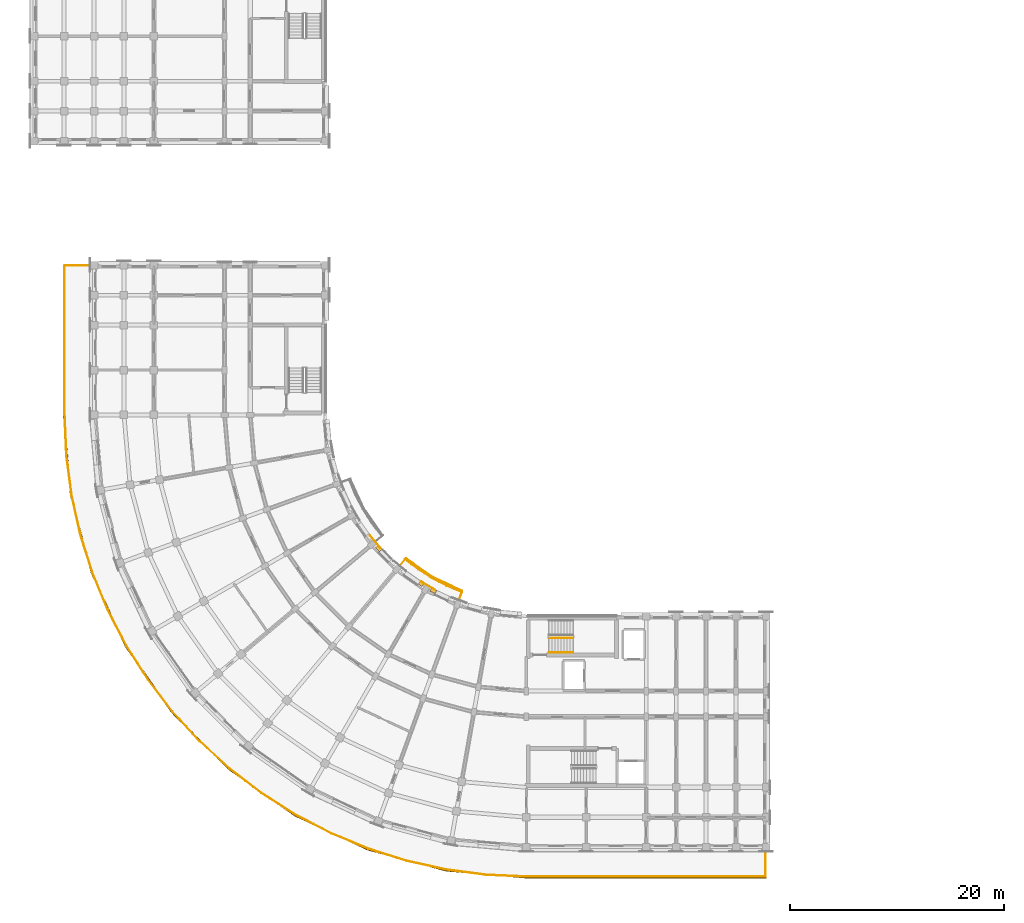
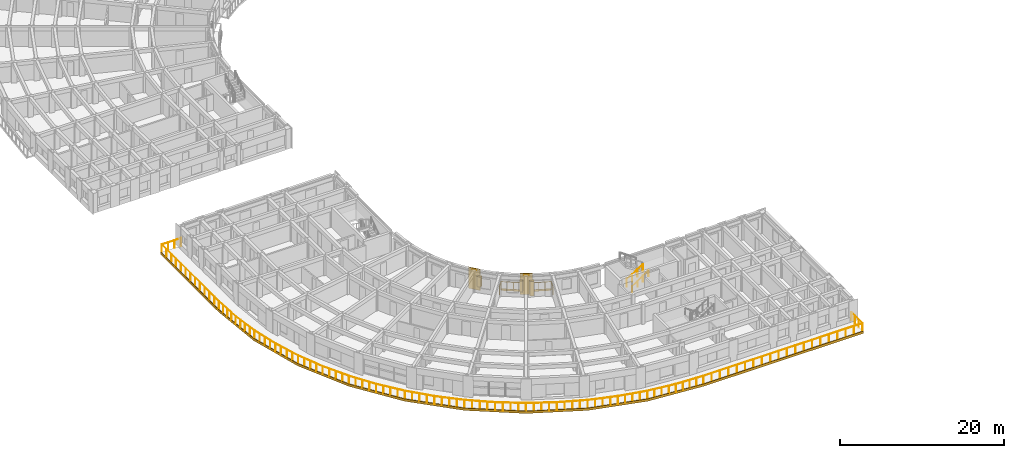
# One storey, part 42 of 57: 7 coverings, 4 railings.
"""IFC4 building model written with IfcOpenShell, lengths in metres."""

from ifc_helpers import new_model, si_unit, direction, frame, origin, origin_2d, place, context, subcontext, project, spatial, polyline, circle, outline, extrude, material, layer, layer_set, type_object, element, save


model = new_model("IFC4")

# Units and contexts
model_context = context("Model", 3, precision=1e-05, world=origin(), true_north=direction((0.0, 1.0)))
body_context = subcontext(model_context, "Body", "Model", "MODEL_VIEW")
ifc_project = project(units=[si_unit("LENGTHUNIT", "METRE"), si_unit("AREAUNIT", "SQUARE_METRE"), si_unit("VOLUMEUNIT", "CUBIC_METRE"), si_unit("PLANEANGLEUNIT", "RADIAN"), si_unit("MASSUNIT", "GRAM", prefix="KILO")], contexts=[model_context])

# Site, building, storey
site_placement = place(None, origin())
site = spatial("IfcSite", under=ifc_project, at=site_placement, CompositionType="ELEMENT")
building_placement = place(site_placement, origin())
building = spatial("IfcBuilding", under=site, at=building_placement, Name="Kiranvali Square Residences", CompositionType="ELEMENT")
storey_placement = place(building_placement, frame((0.0, 0.0, 24.449951171875)))
storey = spatial("IfcBuildingStorey", under=building, at=storey_placement, Name="L07", CompositionType="ELEMENT", Elevation=24.449951171875)

# Coverings
ifc_material_1 = material(Name="Carved Porbandar limestone classical entablature and cornice", Category="masonry")
ifc_layer_1 = layer(ifc_material_1, 0.449951171875)
ifc_layer_set_1 = layer_set([ifc_layer_1], Name="Carved Porbandar limestone classical entablature and cornice")
covering_type_1 = type_object("IfcCoveringType", Name="COV-CLAD-CORN", PredefinedType="CLADDING", material=ifc_layer_set_1)
covering_1_placement = place(storey_placement, frame((0.0, 0.0, -0.280029296875)))
element("IfcCovering", 1, at=covering_1_placement, inside=storey, type_object=covering_type_1, Name="Block C L07 stepped curved terrace stone cornice band", PredefinedType="CLADDING", context=body_context, shape_type="SweptSolid", body=[
    extrude(outline(polyline([(70.60009765625, 4.998046875), (48.199951171875, 4.998046875), (40.697998046875, 5.654296875), (33.424072265625, 7.603515625), (26.59912109375, 10.785888671875), (20.43017578125, 15.10546875), (15.10546875, 20.43017578125), (10.785888671875, 26.59912109375), (7.603515625, 33.424072265625), (5.654296875, 40.697998046875), (4.998046875, 48.199951171875), (4.998046875, 62.199951171875), (4.9150390625, 62.199951171875), (4.9150390625, 48.199951171875), (5.572509765625, 40.68359375), (7.525390625, 33.395751953125), (10.714111328125, 26.5576171875), (15.041748046875, 20.376953125), (20.376953125, 15.041748046875), (26.5576171875, 10.714111328125), (33.395751953125, 7.525390625), (40.68359375, 5.572509765625), (48.199951171875, 4.9150390625), (70.60009765625, 4.9150390625), (70.60009765625, 4.998046875)])), origin(), (0.0, 0.0, 1.0), 0.360107421875),
])
ifc_layer_2 = layer(ifc_material_1, 0.06201171875)
ifc_layer_set_2 = layer_set([ifc_layer_2], Name="Carved Porbandar limestone classical entablature and cornice")
covering_type_2 = type_object("IfcCoveringType", Name="COV-CLAD-GBAL", PredefinedType="CLADDING", material=ifc_layer_set_2)
covering_2_placement = place(storey_placement, frame((0.0, 0.0, -0.219970703125)))
element("IfcCovering", 2, at=covering_2_placement, inside=storey, type_object=covering_type_2, Name="Block C L07 garden balcony limestone fascia 1", PredefinedType="CLADDING", context=body_context, shape_type="SweptSolid", body=[
    extrude(outline(polyline([(42.221435546875, 31.774169921875), (39.4599609375, 33.061767578125), (36.964111328125, 34.8095703125), (36.92041015625, 34.757568359375), (39.426025390625, 33.0029296875), (42.1982421875, 31.710205078125), (42.221435546875, 31.774169921875)])), origin(), (0.0, 0.0, 1.0), 0.27001953125),
])
ifc_material_2 = material(Name="Honed Porbandar limestone ashlar facade cladding", Category="masonry")
ifc_layer_3 = layer(ifc_material_2, 0.3798828125)
ifc_layer_set_3 = layer_set([ifc_layer_3], Name="Honed Porbandar limestone ashlar facade cladding")
covering_type_3 = type_object("IfcCoveringType", Name="COV-CLAD-JAMB", PredefinedType="CLADDING", material=ifc_layer_set_3)
covering_3_placement = place(storey_placement, origin())
element("IfcCovering", 3, at=covering_3_placement, inside=storey, type_object=covering_type_3, Name="L07 deep limestone window jamb reveal C-L07-GDN-02.R", PredefinedType="CLADDING", context=body_context, shape_type="SweptSolid", body=[
    extrude(outline(polyline([(39.839599609375, 31.80908203125), (39.342529296875, 32.041015625), (39.198974609375, 31.733154296875), (39.696044921875, 31.50146484375), (39.839599609375, 31.80908203125)])), origin(), (0.0, 0.0, 1.0), 2.179931640625),
])
covering_4_placement = place(storey_placement, frame((0.0, 0.0, 0.572021484375)))
element("IfcCovering", 4, at=covering_4_placement, inside=storey, type_object=covering_type_3, Name="L07 deep limestone window jamb reveal C-L07-GDN-03.L", PredefinedType="CLADDING", context=body_context, shape_type="SweptSolid", body=[
    extrude(outline(polyline([(38.634521484375, 32.44970703125), (38.30810546875, 32.67822265625), (38.11328125, 32.400146484375), (38.43994140625, 32.171630859375), (38.634521484375, 32.44970703125)])), origin(), (0.0, 0.0, 1.0), 1.650146484375),
])
covering_5_placement = place(storey_placement, frame((0.0, 0.0, 0.72216796875)))
element("IfcCovering", 5, at=covering_5_placement, inside=storey, type_object=covering_type_3, Name="L07 deep limestone window jamb reveal C-L07-GDN-04.R", PredefinedType="CLADDING", context=body_context, shape_type="SweptSolid", body=[
    extrude(outline(polyline([(34.73779296875, 35.656982421875), (34.349853515625, 36.044921875), (34.10986328125, 35.804931640625), (34.497802734375, 35.4169921875), (34.73779296875, 35.656982421875)])), origin(), (0.0, 0.0, 1.0), 1.5),
])
ifc_layer_4 = layer(ifc_material_2, 0.050048828125)
ifc_layer_set_4 = layer_set([ifc_layer_4], Name="Honed Porbandar limestone ashlar facade cladding")
covering_type_4 = type_object("IfcCoveringType", Name="COV-CLAD-PIER-IN", PredefinedType="CLADDING", material=ifc_layer_set_4)
covering_6_placement = place(storey_placement, frame((0.0, 0.0, 0.005126953125)))
element("IfcCovering", 6, at=covering_6_placement, inside=storey, type_object=covering_type_4, Name="L07 Classical garden courtyard pilaster CLAD-PRIN-C-L07-A03", PredefinedType="CLADDING", context=body_context, shape_type="SweptSolid", body=[
    extrude(outline(polyline([(39.658447265625, 31.90576171875), (38.359375, 32.65576171875), (38.32568359375, 32.59716796875), (39.624755859375, 31.84716796875), (39.658447265625, 31.90576171875)])), origin(), (0.0, 0.0, 1.0), 3.139892578125),
])
covering_7_placement = place(storey_placement, frame((0.0, 0.0, 0.005126953125)))
element("IfcCovering", 7, at=covering_7_placement, inside=storey, type_object=covering_type_4, Name="L07 Classical garden courtyard pilaster CLAD-PRIN-C-L07-A05", PredefinedType="CLADDING", context=body_context, shape_type="SweptSolid", body=[
    extrude(outline(polyline([(34.6005859375, 35.809814453125), (33.636474609375, 36.958740234375), (33.584716796875, 36.91552734375), (34.548828125, 35.766357421875), (34.6005859375, 35.809814453125)])), origin(), (0.0, 0.0, 1.0), 3.139892578125),
])

# Railings
ifc_material_3 = material(Name="Powder-coated architectural bronze balustrade", Category="steel")
railing_type_1 = type_object("IfcRailingType", Name="RL-BAL-GOLD-1200", PredefinedType="BALUSTRADE", material=ifc_material_3)
railing_1_placement = place(storey_placement, frame((41.78369140625, 30.5712890625, 0.0)))
element("IfcRailing", 8, at=railing_1_placement, inside=storey, type_object=railing_type_1, Name="Block C L07 garden balcony gold balustrade 1", PredefinedType="BALUSTRADE", context=body_context, shape_type="SweptSolid", body=[
    extrude(circle(Radius=0.02392578125, at=origin_2d()), frame((0.0, 0.0, 1.17578125), z_axis=(0.341964618562, 0.939712828289, 0.0), x_axis=(-0.939712828289, 0.341964618562, 0.0)), (0.0, 0.0, 1.0), 1.150146484375),
    extrude(circle(Radius=0.02392578125, at=origin_2d()), frame((0.393310546875, 1.080810546875, 1.17578125), z_axis=(-0.923892883829, 0.382651197843, 0.0), x_axis=(-0.382651197843, -0.923892883829, 0.0)), (0.0, 0.0, 1.0), 1.536376953125),
    extrude(circle(Radius=0.02392578125, at=origin_2d()), frame((-1.026123046875, 1.668701171875, 1.17578125), z_axis=(-0.887029366154, 0.461713009976, 0.0), x_axis=(-0.461713009976, -0.887029366154, 0.0)), (0.0, 0.0, 1.0), 1.5361328125),
    extrude(circle(Radius=0.02392578125, at=origin_2d()), frame((-2.388671875, 2.3779296875, 1.17578125), z_axis=(-0.843386539688, 0.537307309343, 0.0), x_axis=(-0.537307309343, -0.843386539688, 0.0)), (0.0, 0.0, 1.0), 1.5361328125),
    extrude(circle(Radius=0.02392578125, at=origin_2d()), frame((-3.684326171875, 3.203369140625, 1.17578125), z_axis=(-0.793314680996, 0.608811807471, 0.0), x_axis=(-0.608811807471, -0.793314680996, 0.0)), (0.0, 0.0, 1.0), 1.536376953125),
    extrude(circle(Radius=0.02392578125, at=origin_2d()), frame((-4.903076171875, 4.138671875, 1.17578125), z_axis=(-0.642853454051, -0.765989188314, 0.0), x_axis=(0.765989188314, -0.642853454051, 0.0)), (0.0, 0.0, 1.0), 1.14990234375),
    extrude(circle(Radius=0.02099609375, at=origin_2d()), origin(), (0.0, 0.0, 1.0), 1.15185546875),
    extrude(circle(Radius=0.02099609375, at=origin_2d()), frame((0.393310546875, 1.080810546875, 0.0)), (0.0, 0.0, 1.0), 1.15185546875),
    extrude(circle(Radius=0.02099609375, at=origin_2d()), frame((-0.31640625, 1.374755859375, 0.0)), (0.0, 0.0, 1.0), 1.15185546875),
    extrude(circle(Radius=0.02099609375, at=origin_2d()), frame((-1.026123046875, 1.668701171875, 0.0)), (0.0, 0.0, 1.0), 1.15185546875),
    extrude(circle(Radius=0.02099609375, at=origin_2d()), frame((-1.70751953125, 2.0234375, 0.0)), (0.0, 0.0, 1.0), 1.15185546875),
    extrude(circle(Radius=0.02099609375, at=origin_2d()), frame((-2.388671875, 2.3779296875, 0.0)), (0.0, 0.0, 1.0), 1.15185546875),
    extrude(circle(Radius=0.02099609375, at=origin_2d()), frame((-3.03662109375, 2.79052734375, 0.0)), (0.0, 0.0, 1.0), 1.15185546875),
    extrude(circle(Radius=0.02099609375, at=origin_2d()), frame((-3.684326171875, 3.203369140625, 0.0)), (0.0, 0.0, 1.0), 1.15185546875),
    extrude(circle(Radius=0.02099609375, at=origin_2d()), frame((-4.293701171875, 3.6708984375, 0.0)), (0.0, 0.0, 1.0), 1.15185546875),
    extrude(circle(Radius=0.02099609375, at=origin_2d()), frame((-4.903076171875, 4.138671875, 0.0)), (0.0, 0.0, 1.0), 1.15185546875),
    extrude(circle(Radius=0.02099609375, at=origin_2d()), frame((-5.642333984375, 3.2578125, 0.0)), (0.0, 0.0, 1.0), 1.15185546875),
])
ifc_material_4 = material(Name="Brushed stainless steel tubular handrail", Category="steel")
railing_type_2 = type_object("IfcRailingType", Name="RL-HANDRAIL-900", PredefinedType="HANDRAIL", material=ifc_material_4)
railing_2_placement = place(storey_placement, frame((50.300048828125, 26.0, 0.175048828125)))
element("IfcRailing", 9, at=railing_2_placement, inside=storey, type_object=railing_type_2, Name="L07 ST-C2 stair handrail 1", PredefinedType="HANDRAIL", context=body_context, shape_type="SweptSolid", body=[
    extrude(circle(Radius=0.02392578125, at=origin_2d()), frame((0.0, 0.0, 0.8759765625), z_axis=(0.82278801735, 0.0, 0.568348377763), x_axis=(0.0, 1.0, 0.0)), (0.0, 0.0, 1.0), 2.77099609375),
    extrude(circle(Radius=0.02099609375, at=origin_2d()), origin(), (0.0, 0.0, 1.0), 0.851806640625),
    extrude(circle(Radius=0.02099609375, at=origin_2d()), frame((0.760009765625, 0.0, 0.52490234375)), (0.0, 0.0, 1.0), 0.851806640625),
    extrude(circle(Radius=0.02099609375, at=origin_2d()), frame((1.52001953125, 0.0, 1.050048828125)), (0.0, 0.0, 1.0), 0.851806640625),
    extrude(circle(Radius=0.02099609375, at=origin_2d()), frame((2.280029296875, 0.0, 1.574951171875)), (0.0, 0.0, 1.0), 0.851806640625),
])
railing_type_3 = type_object("IfcRailingType", Name="RL-ST-GUARD-1200", PredefinedType="GUARDRAIL", material=ifc_material_3)
railing_3_placement = place(storey_placement, frame((50.300048828125, 27.35009765625, 0.175048828125)))
element("IfcRailing", 10, at=railing_3_placement, inside=storey, type_object=railing_type_3, Name="L07 ST-C2 stair guard 1", PredefinedType="GUARDRAIL", context=body_context, shape_type="SweptSolid", body=[
    extrude(circle(Radius=0.02392578125, at=origin_2d()), frame((0.0, 0.0, 1.1259765625), z_axis=(0.852190499154, 0.0, 0.523231643875), x_axis=(0.0, 1.0, 0.0)), (0.0, 0.0, 1.0), 2.675537109375),
    extrude(circle(Radius=0.02099609375, at=origin_2d()), origin(), (0.0, 0.0, 1.0), 1.101806640625),
    extrude(circle(Radius=0.02099609375, at=origin_2d()), frame((0.760009765625, 0.0, 0.466552734375)), (0.0, 0.0, 1.0), 1.101806640625),
    extrude(circle(Radius=0.02099609375, at=origin_2d()), frame((1.52001953125, 0.0, 0.933349609375)), (0.0, 0.0, 1.0), 1.101806640625),
    extrude(circle(Radius=0.02099609375, at=origin_2d()), frame((2.280029296875, 0.0, 1.39990234375)), (0.0, 0.0, 1.0), 1.101806640625),
])
railing_type_4 = type_object("IfcRailingType", Name="RL-TER-GOLD-1200", PredefinedType="BALUSTRADE", material=ifc_material_3)
railing_4_placement = place(storey_placement, frame((70.550048828125, 7.760009765625, 0.0)))
element("IfcRailing", 11, at=railing_4_placement, inside=storey, type_object=railing_type_4, Name="Block C L07 stepped curved corner terrace gold balustrade", PredefinedType="BALUSTRADE", context=body_context, shape_type="SweptSolid", body=[
    extrude(circle(Radius=0.02392578125, at=origin_2d()), frame((0.0, 0.0, 1.17578125), z_axis=(0.0, -1.0, 0.0), x_axis=(1.0, 0.0, 0.0)), (0.0, 0.0, 1.0), 2.699951171875),
    extrude(circle(Radius=0.02392578125, at=origin_2d()), frame((0.0, -2.699951171875, 1.17578125), z_axis=(-1.0, 0.0, 0.0), x_axis=(0.0, -1.0, 0.0)), (0.0, 0.0, 1.0), 22.35009765625),
    extrude(circle(Radius=0.02392578125, at=origin_2d()), frame((-22.35009765625, -2.699951171875, 1.17578125), z_axis=(-0.999049291375, 0.043594878169, 0.0), x_axis=(-0.043594878169, -0.999049291375, 0.0)), (0.0, 0.0, 1.0), 3.763427734375),
    extrude(circle(Radius=0.02392578125, at=origin_2d()), frame((-26.10986328125, -2.535888671875, 1.17578125), z_axis=(-0.991446345244, 0.130514920612, 0.0), x_axis=(-0.130514920612, -0.991446345244, 0.0)), (0.0, 0.0, 1.0), 3.763671875),
    extrude(circle(Radius=0.02392578125, at=origin_2d()), frame((-29.84130859375, -2.044677734375, 1.17578125), z_axis=(-0.976286176868, 0.216483950575, 0.0), x_axis=(-0.216483950575, -0.976286176868, 0.0)), (0.0, 0.0, 1.0), 3.763427734375),
    extrude(circle(Radius=0.02392578125, at=origin_2d()), frame((-33.515380859375, -1.22998046875, 1.17578125), z_axis=(-0.953726676366, 0.300674952045, 0.0), x_axis=(-0.300674952045, -0.953726676366, 0.0)), (0.0, 0.0, 1.0), 3.763427734375),
    extrude(circle(Radius=0.02392578125, at=origin_2d()), frame((-37.104736328125, -0.098388671875, 1.17578125), z_axis=(-0.923884797313, 0.382670721763, 0.0), x_axis=(-0.382670721763, -0.923884797313, 0.0)), (0.0, 0.0, 1.0), 3.763427734375),
    extrude(circle(Radius=0.02392578125, at=origin_2d()), frame((-40.581787109375, 1.341796875, 1.17578125), z_axis=(-0.887017046177, 0.461736677979, 0.0), x_axis=(-0.461736677979, -0.887017046177, 0.0)), (0.0, 0.0, 1.0), 3.763671875),
    extrude(circle(Radius=0.02392578125, at=origin_2d()), frame((-43.920166015625, 3.07958984375, 1.17578125), z_axis=(-0.843378230808, 0.537320351187, 0.0), x_axis=(-0.537320351187, -0.843378230808, 0.0)), (0.0, 0.0, 1.0), 3.763427734375),
    extrude(circle(Radius=0.02392578125, at=origin_2d()), frame((-47.09423828125, 5.101806640625, 1.17578125), z_axis=(-0.793342115152, 0.608776057616, 0.0), x_axis=(-0.608776057616, -0.793342115152, 0.0)), (0.0, 0.0, 1.0), 3.763427734375),
    extrude(circle(Radius=0.02392578125, at=origin_2d()), frame((-50.079833984375, 7.392822265625, 1.17578125), z_axis=(-0.737310297647, 0.675554235412, 0.0), x_axis=(-0.675554235412, -0.737310297647, 0.0)), (0.0, 0.0, 1.0), 3.763427734375),
    extrude(circle(Radius=0.02392578125, at=origin_2d()), frame((-52.854736328125, 9.935302734375, 1.17578125), z_axis=(-0.675554235412, 0.737310297647, 0.0), x_axis=(-0.737310297647, -0.675554235412, 0.0)), (0.0, 0.0, 1.0), 3.763427734375),
    extrude(circle(Radius=0.02392578125, at=origin_2d()), frame((-55.397216796875, 12.710205078125, 1.17578125), z_axis=(-0.608776057616, 0.793342115152, 0.0), x_axis=(-0.793342115152, -0.608776057616, 0.0)), (0.0, 0.0, 1.0), 3.763427734375),
    extrude(circle(Radius=0.02392578125, at=origin_2d()), frame((-57.688232421875, 15.69580078125, 1.17578125), z_axis=(-0.537320351187, 0.843378230808, 0.0), x_axis=(-0.843378230808, -0.537320351187, 0.0)), (0.0, 0.0, 1.0), 3.763427734375),
    extrude(circle(Radius=0.02392578125, at=origin_2d()), frame((-59.71044921875, 18.869873046875, 1.17578125), z_axis=(-0.461736677979, 0.887017046177, 0.0), x_axis=(-0.887017046177, -0.461736677979, 0.0)), (0.0, 0.0, 1.0), 3.763671875),
    extrude(circle(Radius=0.02392578125, at=origin_2d()), frame((-61.4482421875, 22.208251953125, 1.17578125), z_axis=(-0.382670721763, 0.923884797313, 0.0), x_axis=(-0.923884797313, -0.382670721763, 0.0)), (0.0, 0.0, 1.0), 3.763427734375),
    extrude(circle(Radius=0.02392578125, at=origin_2d()), frame((-62.888427734375, 25.685302734375, 1.17578125), z_axis=(-0.300674952045, 0.953726676366, 0.0), x_axis=(-0.953726676366, -0.300674952045, 0.0)), (0.0, 0.0, 1.0), 3.763427734375),
    extrude(circle(Radius=0.02392578125, at=origin_2d()), frame((-64.02001953125, 29.274658203125, 1.17578125), z_axis=(-0.216483950575, 0.976286176868, 0.0), x_axis=(-0.976286176868, -0.216483950575, 0.0)), (0.0, 0.0, 1.0), 3.763427734375),
    extrude(circle(Radius=0.02392578125, at=origin_2d()), frame((-64.834716796875, 32.94873046875, 1.17578125), z_axis=(-0.130514920612, 0.991446345244, 0.0), x_axis=(-0.991446345244, -0.130514920612, 0.0)), (0.0, 0.0, 1.0), 3.763671875),
    extrude(circle(Radius=0.02392578125, at=origin_2d()), frame((-65.325927734375, 36.68017578125, 1.17578125), z_axis=(-0.043594878169, 0.999049291375, 0.0), x_axis=(-0.999049291375, -0.043594878169, 0.0)), (0.0, 0.0, 1.0), 3.763427734375),
    extrude(circle(Radius=0.02392578125, at=origin_2d()), frame((-65.489990234375, 40.43994140625, 1.17578125), z_axis=(0.0, 1.0, 0.0), x_axis=(-1.0, 0.0, 0.0)), (0.0, 0.0, 1.0), 13.949951171875),
    extrude(circle(Radius=0.02392578125, at=origin_2d()), frame((-65.489990234375, 54.389892578125, 1.17578125), z_axis=(1.0, 0.0, 0.0), x_axis=(0.0, 1.0, 0.0)), (0.0, 0.0, 1.0), 2.699951171875),
    extrude(circle(Radius=0.02099609375, at=origin_2d()), origin(), (0.0, 0.0, 1.0), 1.15185546875),
    extrude(circle(Radius=0.02099609375, at=origin_2d()), frame((0.0, -0.89990234375, 0.0)), (0.0, 0.0, 1.0), 1.15185546875),
    extrude(circle(Radius=0.02099609375, at=origin_2d()), frame((0.0, -1.800048828125, 0.0)), (0.0, 0.0, 1.0), 1.15185546875),
    extrude(circle(Radius=0.02099609375, at=origin_2d()), frame((0.0, -2.699951171875, 0.0)), (0.0, 0.0, 1.0), 1.15185546875),
    extrude(circle(Radius=0.02099609375, at=origin_2d()), frame((-1.17626953125, -2.699951171875, 0.0)), (0.0, 0.0, 1.0), 1.15185546875),
    extrude(circle(Radius=0.02099609375, at=origin_2d()), frame((-2.3525390625, -2.699951171875, 0.0)), (0.0, 0.0, 1.0), 1.15185546875),
    extrude(circle(Radius=0.02099609375, at=origin_2d()), frame((-3.529052734375, -2.699951171875, 0.0)), (0.0, 0.0, 1.0), 1.15185546875),
    extrude(circle(Radius=0.02099609375, at=origin_2d()), frame((-4.705322265625, -2.699951171875, 0.0)), (0.0, 0.0, 1.0), 1.15185546875),
    extrude(circle(Radius=0.02099609375, at=origin_2d()), frame((-5.881591796875, -2.699951171875, 0.0)), (0.0, 0.0, 1.0), 1.15185546875),
    extrude(circle(Radius=0.02099609375, at=origin_2d()), frame((-7.057861328125, -2.699951171875, 0.0)), (0.0, 0.0, 1.0), 1.15185546875),
    extrude(circle(Radius=0.02099609375, at=origin_2d()), frame((-8.234130859375, -2.699951171875, 0.0)), (0.0, 0.0, 1.0), 1.15185546875),
    extrude(circle(Radius=0.02099609375, at=origin_2d()), frame((-9.41064453125, -2.699951171875, 0.0)), (0.0, 0.0, 1.0), 1.15185546875),
    extrude(circle(Radius=0.02099609375, at=origin_2d()), frame((-10.5869140625, -2.699951171875, 0.0)), (0.0, 0.0, 1.0), 1.15185546875),
    extrude(circle(Radius=0.02099609375, at=origin_2d()), frame((-11.76318359375, -2.699951171875, 0.0)), (0.0, 0.0, 1.0), 1.15185546875),
    extrude(circle(Radius=0.02099609375, at=origin_2d()), frame((-12.939453125, -2.699951171875, 0.0)), (0.0, 0.0, 1.0), 1.15185546875),
    extrude(circle(Radius=0.02099609375, at=origin_2d()), frame((-14.115966796875, -2.699951171875, 0.0)), (0.0, 0.0, 1.0), 1.15185546875),
    extrude(circle(Radius=0.02099609375, at=origin_2d()), frame((-15.292236328125, -2.699951171875, 0.0)), (0.0, 0.0, 1.0), 1.15185546875),
    extrude(circle(Radius=0.02099609375, at=origin_2d()), frame((-16.468505859375, -2.699951171875, 0.0)), (0.0, 0.0, 1.0), 1.15185546875),
    extrude(circle(Radius=0.02099609375, at=origin_2d()), frame((-17.644775390625, -2.699951171875, 0.0)), (0.0, 0.0, 1.0), 1.15185546875),
    extrude(circle(Radius=0.02099609375, at=origin_2d()), frame((-18.821044921875, -2.699951171875, 0.0)), (0.0, 0.0, 1.0), 1.15185546875),
    extrude(circle(Radius=0.02099609375, at=origin_2d()), frame((-19.99755859375, -2.699951171875, 0.0)), (0.0, 0.0, 1.0), 1.15185546875),
    extrude(circle(Radius=0.02099609375, at=origin_2d()), frame((-21.173828125, -2.699951171875, 0.0)), (0.0, 0.0, 1.0), 1.15185546875),
    extrude(circle(Radius=0.02099609375, at=origin_2d()), frame((-22.35009765625, -2.699951171875, 0.0)), (0.0, 0.0, 1.0), 1.15185546875),
    extrude(circle(Radius=0.02099609375, at=origin_2d()), frame((-23.2900390625, -2.658935546875, 0.0)), (0.0, 0.0, 1.0), 1.15185546875),
    extrude(circle(Radius=0.02099609375, at=origin_2d()), frame((-24.22998046875, -2.617919921875, 0.0)), (0.0, 0.0, 1.0), 1.15185546875),
    extrude(circle(Radius=0.02099609375, at=origin_2d()), frame((-25.169921875, -2.576904296875, 0.0)), (0.0, 0.0, 1.0), 1.15185546875),
    extrude(circle(Radius=0.02099609375, at=origin_2d()), frame((-26.10986328125, -2.535888671875, 0.0)), (0.0, 0.0, 1.0), 1.15185546875),
    extrude(circle(Radius=0.02099609375, at=origin_2d()), frame((-27.042724609375, -2.4130859375, 0.0)), (0.0, 0.0, 1.0), 1.15185546875),
    extrude(circle(Radius=0.02099609375, at=origin_2d()), frame((-27.9755859375, -2.290283203125, 0.0)), (0.0, 0.0, 1.0), 1.15185546875),
    extrude(circle(Radius=0.02099609375, at=origin_2d()), frame((-28.908447265625, -2.16748046875, 0.0)), (0.0, 0.0, 1.0), 1.15185546875),
    extrude(circle(Radius=0.02099609375, at=origin_2d()), frame((-29.84130859375, -2.044677734375, 0.0)), (0.0, 0.0, 1.0), 1.15185546875),
    extrude(circle(Radius=0.02099609375, at=origin_2d()), frame((-30.759765625, -1.841064453125, 0.0)), (0.0, 0.0, 1.0), 1.15185546875),
    extrude(circle(Radius=0.02099609375, at=origin_2d()), frame((-31.67822265625, -1.63720703125, 0.0)), (0.0, 0.0, 1.0), 1.15185546875),
    extrude(circle(Radius=0.02099609375, at=origin_2d()), frame((-32.596923828125, -1.43359375, 0.0)), (0.0, 0.0, 1.0), 1.15185546875),
    extrude(circle(Radius=0.02099609375, at=origin_2d()), frame((-33.515380859375, -1.22998046875, 0.0)), (0.0, 0.0, 1.0), 1.15185546875),
    extrude(circle(Radius=0.02099609375, at=origin_2d()), frame((-34.41259765625, -0.947021484375, 0.0)), (0.0, 0.0, 1.0), 1.15185546875),
    extrude(circle(Radius=0.02099609375, at=origin_2d()), frame((-35.31005859375, -0.6640625, 0.0)), (0.0, 0.0, 1.0), 1.15185546875),
    extrude(circle(Radius=0.02099609375, at=origin_2d()), frame((-36.20751953125, -0.38134765625, 0.0)), (0.0, 0.0, 1.0), 1.15185546875),
    extrude(circle(Radius=0.02099609375, at=origin_2d()), frame((-37.104736328125, -0.098388671875, 0.0)), (0.0, 0.0, 1.0), 1.15185546875),
    extrude(circle(Radius=0.02099609375, at=origin_2d()), frame((-37.97412109375, 0.26171875, 0.0)), (0.0, 0.0, 1.0), 1.15185546875),
    extrude(circle(Radius=0.02099609375, at=origin_2d()), frame((-38.84326171875, 0.62158203125, 0.0)), (0.0, 0.0, 1.0), 1.15185546875),
    extrude(circle(Radius=0.02099609375, at=origin_2d()), frame((-39.71240234375, 0.981689453125, 0.0)), (0.0, 0.0, 1.0), 1.15185546875),
    extrude(circle(Radius=0.02099609375, at=origin_2d()), frame((-40.581787109375, 1.341796875, 0.0)), (0.0, 0.0, 1.0), 1.15185546875),
    extrude(circle(Radius=0.02099609375, at=origin_2d()), frame((-41.41650390625, 1.7763671875, 0.0)), (0.0, 0.0, 1.0), 1.15185546875),
    extrude(circle(Radius=0.02099609375, at=origin_2d()), frame((-42.2509765625, 2.210693359375, 0.0)), (0.0, 0.0, 1.0), 1.15185546875),
    extrude(circle(Radius=0.02099609375, at=origin_2d()), frame((-43.08544921875, 2.64501953125, 0.0)), (0.0, 0.0, 1.0), 1.15185546875),
    extrude(circle(Radius=0.02099609375, at=origin_2d()), frame((-43.920166015625, 3.07958984375, 0.0)), (0.0, 0.0, 1.0), 1.15185546875),
    extrude(circle(Radius=0.02099609375, at=origin_2d()), frame((-44.713623046875, 3.585205078125, 0.0)), (0.0, 0.0, 1.0), 1.15185546875),
    extrude(circle(Radius=0.02099609375, at=origin_2d()), frame((-45.50732421875, 4.0908203125, 0.0)), (0.0, 0.0, 1.0), 1.15185546875),
    extrude(circle(Radius=0.02099609375, at=origin_2d()), frame((-46.30078125, 4.59619140625, 0.0)), (0.0, 0.0, 1.0), 1.15185546875),
    extrude(circle(Radius=0.02099609375, at=origin_2d()), frame((-47.09423828125, 5.101806640625, 0.0)), (0.0, 0.0, 1.0), 1.15185546875),
    extrude(circle(Radius=0.02099609375, at=origin_2d()), frame((-47.840576171875, 5.674560546875, 0.0)), (0.0, 0.0, 1.0), 1.15185546875),
    extrude(circle(Radius=0.02099609375, at=origin_2d()), frame((-48.5869140625, 6.247314453125, 0.0)), (0.0, 0.0, 1.0), 1.15185546875),
    extrude(circle(Radius=0.02099609375, at=origin_2d()), frame((-49.33349609375, 6.820068359375, 0.0)), (0.0, 0.0, 1.0), 1.15185546875),
    extrude(circle(Radius=0.02099609375, at=origin_2d()), frame((-50.079833984375, 7.392822265625, 0.0)), (0.0, 0.0, 1.0), 1.15185546875),
    extrude(circle(Radius=0.02099609375, at=origin_2d()), frame((-50.7734375, 8.0283203125, 0.0)), (0.0, 0.0, 1.0), 1.15185546875),
    extrude(circle(Radius=0.02099609375, at=origin_2d()), frame((-51.46728515625, 8.6640625, 0.0)), (0.0, 0.0, 1.0), 1.15185546875),
    extrude(circle(Radius=0.02099609375, at=origin_2d()), frame((-52.1611328125, 9.2998046875, 0.0)), (0.0, 0.0, 1.0), 1.15185546875),
    extrude(circle(Radius=0.02099609375, at=origin_2d()), frame((-52.854736328125, 9.935302734375, 0.0)), (0.0, 0.0, 1.0), 1.15185546875),
    extrude(circle(Radius=0.02099609375, at=origin_2d()), frame((-53.490234375, 10.62890625, 0.0)), (0.0, 0.0, 1.0), 1.15185546875),
    extrude(circle(Radius=0.02099609375, at=origin_2d()), frame((-54.1259765625, 11.32275390625, 0.0)), (0.0, 0.0, 1.0), 1.15185546875),
    extrude(circle(Radius=0.02099609375, at=origin_2d()), frame((-54.76171875, 12.0166015625, 0.0)), (0.0, 0.0, 1.0), 1.15185546875),
    extrude(circle(Radius=0.02099609375, at=origin_2d()), frame((-55.397216796875, 12.710205078125, 0.0)), (0.0, 0.0, 1.0), 1.15185546875),
    extrude(circle(Radius=0.02099609375, at=origin_2d()), frame((-55.969970703125, 13.45654296875, 0.0)), (0.0, 0.0, 1.0), 1.15185546875),
    extrude(circle(Radius=0.02099609375, at=origin_2d()), frame((-56.542724609375, 14.203125, 0.0)), (0.0, 0.0, 1.0), 1.15185546875),
    extrude(circle(Radius=0.02099609375, at=origin_2d()), frame((-57.115478515625, 14.949462890625, 0.0)), (0.0, 0.0, 1.0), 1.15185546875),
    extrude(circle(Radius=0.02099609375, at=origin_2d()), frame((-57.688232421875, 15.69580078125, 0.0)), (0.0, 0.0, 1.0), 1.15185546875),
    extrude(circle(Radius=0.02099609375, at=origin_2d()), frame((-58.19384765625, 16.4892578125, 0.0)), (0.0, 0.0, 1.0), 1.15185546875),
    extrude(circle(Radius=0.02099609375, at=origin_2d()), frame((-58.69921875, 17.28271484375, 0.0)), (0.0, 0.0, 1.0), 1.15185546875),
    extrude(circle(Radius=0.02099609375, at=origin_2d()), frame((-59.204833984375, 18.076416015625, 0.0)), (0.0, 0.0, 1.0), 1.15185546875),
    extrude(circle(Radius=0.02099609375, at=origin_2d()), frame((-59.71044921875, 18.869873046875, 0.0)), (0.0, 0.0, 1.0), 1.15185546875),
    extrude(circle(Radius=0.02099609375, at=origin_2d()), frame((-60.14501953125, 19.70458984375, 0.0)), (0.0, 0.0, 1.0), 1.15185546875),
    extrude(circle(Radius=0.02099609375, at=origin_2d()), frame((-60.579345703125, 20.5390625, 0.0)), (0.0, 0.0, 1.0), 1.15185546875),
    extrude(circle(Radius=0.02099609375, at=origin_2d()), frame((-61.013671875, 21.37353515625, 0.0)), (0.0, 0.0, 1.0), 1.15185546875),
    extrude(circle(Radius=0.02099609375, at=origin_2d()), frame((-61.4482421875, 22.208251953125, 0.0)), (0.0, 0.0, 1.0), 1.15185546875),
    extrude(circle(Radius=0.02099609375, at=origin_2d()), frame((-61.808349609375, 23.07763671875, 0.0)), (0.0, 0.0, 1.0), 1.15185546875),
    extrude(circle(Radius=0.02099609375, at=origin_2d()), frame((-62.16845703125, 23.94677734375, 0.0)), (0.0, 0.0, 1.0), 1.15185546875),
    extrude(circle(Radius=0.02099609375, at=origin_2d()), frame((-62.5283203125, 24.81591796875, 0.0)), (0.0, 0.0, 1.0), 1.15185546875),
    extrude(circle(Radius=0.02099609375, at=origin_2d()), frame((-62.888427734375, 25.685302734375, 0.0)), (0.0, 0.0, 1.0), 1.15185546875),
    extrude(circle(Radius=0.02099609375, at=origin_2d()), frame((-63.17138671875, 26.58251953125, 0.0)), (0.0, 0.0, 1.0), 1.15185546875),
    extrude(circle(Radius=0.02099609375, at=origin_2d()), frame((-63.4541015625, 27.47998046875, 0.0)), (0.0, 0.0, 1.0), 1.15185546875),
    extrude(circle(Radius=0.02099609375, at=origin_2d()), frame((-63.737060546875, 28.37744140625, 0.0)), (0.0, 0.0, 1.0), 1.15185546875),
    extrude(circle(Radius=0.02099609375, at=origin_2d()), frame((-64.02001953125, 29.274658203125, 0.0)), (0.0, 0.0, 1.0), 1.15185546875),
    extrude(circle(Radius=0.02099609375, at=origin_2d()), frame((-64.2236328125, 30.193115234375, 0.0)), (0.0, 0.0, 1.0), 1.15185546875),
    extrude(circle(Radius=0.02099609375, at=origin_2d()), frame((-64.42724609375, 31.11181640625, 0.0)), (0.0, 0.0, 1.0), 1.15185546875),
    extrude(circle(Radius=0.02099609375, at=origin_2d()), frame((-64.631103515625, 32.0302734375, 0.0)), (0.0, 0.0, 1.0), 1.15185546875),
    extrude(circle(Radius=0.02099609375, at=origin_2d()), frame((-64.834716796875, 32.94873046875, 0.0)), (0.0, 0.0, 1.0), 1.15185546875),
    extrude(circle(Radius=0.02099609375, at=origin_2d()), frame((-64.95751953125, 33.881591796875, 0.0)), (0.0, 0.0, 1.0), 1.15185546875),
    extrude(circle(Radius=0.02099609375, at=origin_2d()), frame((-65.080322265625, 34.814453125, 0.0)), (0.0, 0.0, 1.0), 1.15185546875),
    extrude(circle(Radius=0.02099609375, at=origin_2d()), frame((-65.203125, 35.747314453125, 0.0)), (0.0, 0.0, 1.0), 1.15185546875),
    extrude(circle(Radius=0.02099609375, at=origin_2d()), frame((-65.325927734375, 36.68017578125, 0.0)), (0.0, 0.0, 1.0), 1.15185546875),
    extrude(circle(Radius=0.02099609375, at=origin_2d()), frame((-65.366943359375, 37.6201171875, 0.0)), (0.0, 0.0, 1.0), 1.15185546875),
    extrude(circle(Radius=0.02099609375, at=origin_2d()), frame((-65.407958984375, 38.56005859375, 0.0)), (0.0, 0.0, 1.0), 1.15185546875),
    extrude(circle(Radius=0.02099609375, at=origin_2d()), frame((-65.448974609375, 39.5, 0.0)), (0.0, 0.0, 1.0), 1.15185546875),
    extrude(circle(Radius=0.02099609375, at=origin_2d()), frame((-65.489990234375, 40.43994140625, 0.0)), (0.0, 0.0, 1.0), 1.15185546875),
    extrude(circle(Radius=0.02099609375, at=origin_2d()), frame((-65.489990234375, 41.6025390625, 0.0)), (0.0, 0.0, 1.0), 1.15185546875),
    extrude(circle(Radius=0.02099609375, at=origin_2d()), frame((-65.489990234375, 42.764892578125, 0.0)), (0.0, 0.0, 1.0), 1.15185546875),
    extrude(circle(Radius=0.02099609375, at=origin_2d()), frame((-65.489990234375, 43.927490234375, 0.0)), (0.0, 0.0, 1.0), 1.15185546875),
    extrude(circle(Radius=0.02099609375, at=origin_2d()), frame((-65.489990234375, 45.08984375, 0.0)), (0.0, 0.0, 1.0), 1.15185546875),
    extrude(circle(Radius=0.02099609375, at=origin_2d()), frame((-65.489990234375, 46.25244140625, 0.0)), (0.0, 0.0, 1.0), 1.15185546875),
    extrude(circle(Radius=0.02099609375, at=origin_2d()), frame((-65.489990234375, 47.4150390625, 0.0)), (0.0, 0.0, 1.0), 1.15185546875),
    extrude(circle(Radius=0.02099609375, at=origin_2d()), frame((-65.489990234375, 48.577392578125, 0.0)), (0.0, 0.0, 1.0), 1.15185546875),
    extrude(circle(Radius=0.02099609375, at=origin_2d()), frame((-65.489990234375, 49.739990234375, 0.0)), (0.0, 0.0, 1.0), 1.15185546875),
    extrude(circle(Radius=0.02099609375, at=origin_2d()), frame((-65.489990234375, 50.90234375, 0.0)), (0.0, 0.0, 1.0), 1.15185546875),
    extrude(circle(Radius=0.02099609375, at=origin_2d()), frame((-65.489990234375, 52.06494140625, 0.0)), (0.0, 0.0, 1.0), 1.15185546875),
    extrude(circle(Radius=0.02099609375, at=origin_2d()), frame((-65.489990234375, 53.227294921875, 0.0)), (0.0, 0.0, 1.0), 1.15185546875),
    extrude(circle(Radius=0.02099609375, at=origin_2d()), frame((-65.489990234375, 54.389892578125, 0.0)), (0.0, 0.0, 1.0), 1.15185546875),
    extrude(circle(Radius=0.02099609375, at=origin_2d()), frame((-64.590087890625, 54.389892578125, 0.0)), (0.0, 0.0, 1.0), 1.15185546875),
    extrude(circle(Radius=0.02099609375, at=origin_2d()), frame((-63.68994140625, 54.389892578125, 0.0)), (0.0, 0.0, 1.0), 1.15185546875),
    extrude(circle(Radius=0.02099609375, at=origin_2d()), frame((-62.7900390625, 54.389892578125, 0.0)), (0.0, 0.0, 1.0), 1.15185546875),
])

save(model, "model.ifc")
